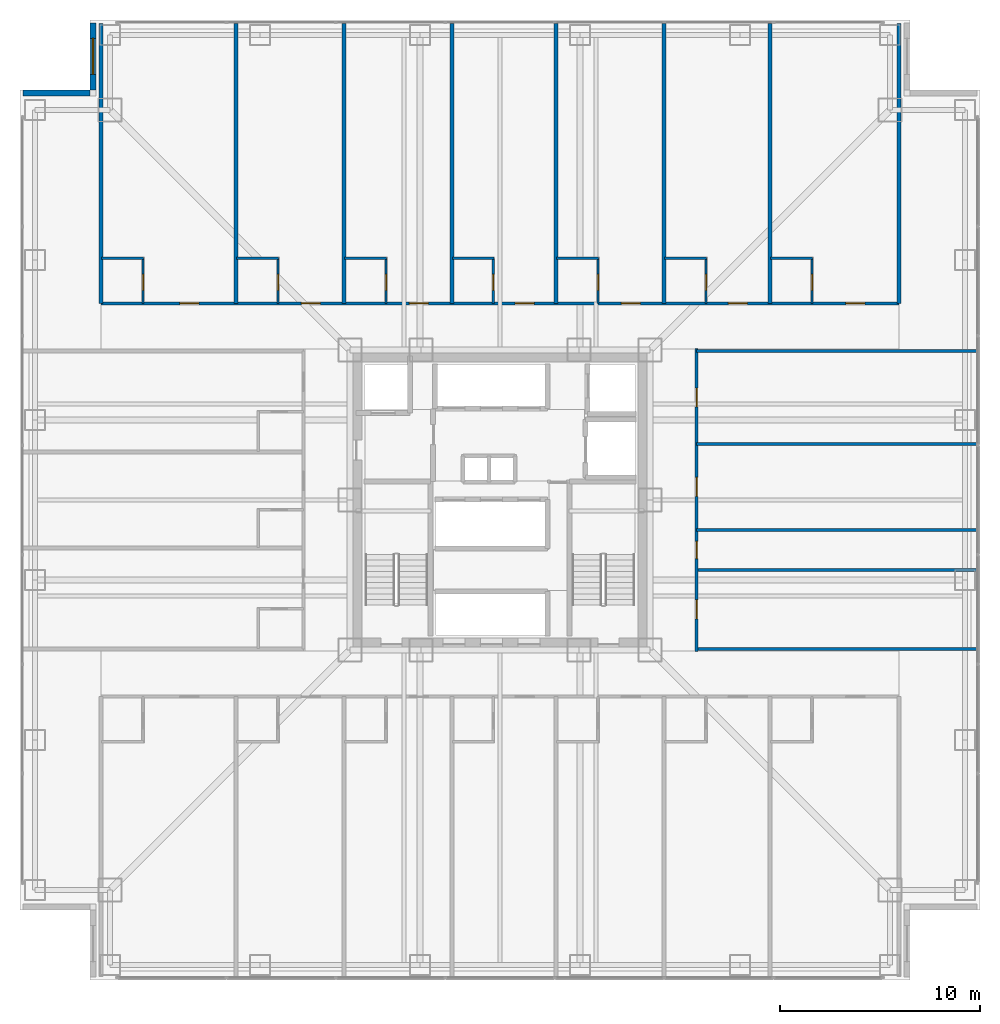
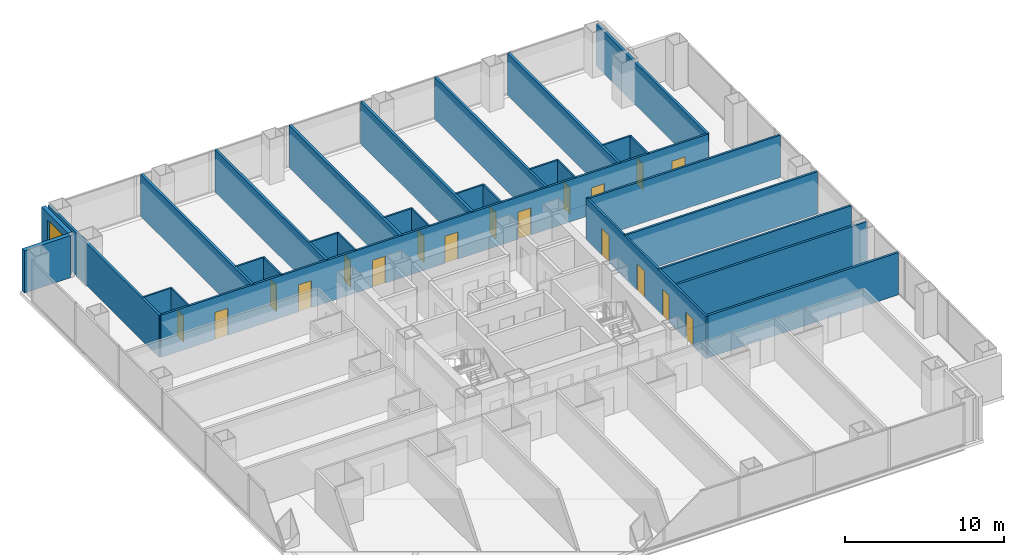
# One storey, part 13 of 17: 31 walls, 18 doors, 1 window, 19 openings.
"""IFC4 building model written with IfcOpenShell, lengths in metres."""

from ifc_helpers import new_model, si_unit, direction, frame, frame_2d, origin, place, context, subcontext, project, spatial, rectangle, extrude, material, layer, layer_set, type_object, element, fill, save


model = new_model("IFC4")

# Units and contexts
model_context = context("Model", 3, precision=1e-05, world=origin(), true_north=direction((0.0, 1.0)))
body_context = subcontext(model_context, "Body", "Model", "MODEL_VIEW")
ifc_project = project(units=[si_unit("LENGTHUNIT", "METRE"), si_unit("AREAUNIT", "SQUARE_METRE"), si_unit("VOLUMEUNIT", "CUBIC_METRE"), si_unit("PLANEANGLEUNIT", "RADIAN"), si_unit("MASSUNIT", "GRAM", prefix="KILO")], contexts=[model_context])

# Site, building, storey
site_placement = place(None, origin())
site = spatial("IfcSite", under=ifc_project, at=site_placement, CompositionType="ELEMENT")
building_placement = place(site_placement, origin())
building = spatial("IfcBuilding", under=site, at=building_placement, Name="Trevonay Congress Spire", CompositionType="ELEMENT")
storey_placement = place(building_placement, frame((0.0, 0.0, 30.5)))
storey = spatial("IfcBuildingStorey", under=building, at=storey_placement, Name="L06", CompositionType="ELEMENT", Elevation=30.5)

# Wall, opening, door
ifc_material_1 = material(Name="Concrete C40/50", Category="concrete")
ifc_layer_1 = layer(ifc_material_1, 0.1201171875, Name="Concrete C40/50")
ifc_layer_set_1 = layer_set([ifc_layer_1], Name="Concrete C40/50")
wall_type_1 = type_object("IfcWallType", Name="WAL-BATH-120", PredefinedType="PLUMBINGWALL", material=ifc_layer_set_1)
wall_1_placement = place(storey_placement, frame((-17.85009765625, 9.830078125, 0.0), z_axis=(0.0, 0.0, 1.0), x_axis=(0.0, 1.0, 0.0)))
wall_1 = element("IfcWall", 1, at=wall_1_placement, inside=storey, type_object=wall_type_1, Name="L06 interior wall WH-L06N-BS1", PredefinedType="PLUMBINGWALL", context=body_context, shape_type="SweptSolid", body=[
    extrude(rectangle(XDim=2.25, YDim=0.1201171875, at=frame_2d((1.125, 0.0))), origin(), (0.0, 0.0, 1.0), 3.25),
])
opening_1_placement = place(wall_1_placement, frame((0.64990234375, 0.0, 0.0)))
opening_1 = element("IfcOpeningElement", 2, at=opening_1_placement, cuts=wall_1, Name="Opening D11", PredefinedType="OPENING", context=body_context, shape_type="SweptSolid", body=[
    extrude(rectangle(XDim=0.800048828125, YDim=2.050048828125, at=frame_2d((0.39990234375, 1.02490234375))), frame((0.0, 0.070068359375, 0.0), z_axis=(0.0, -1.0, 0.0), x_axis=(1.0, 0.0, 0.0)), (0.0, 0.0, 1.0), 0.14013671875),
])
ifc_material_2 = material(Name="Pale Anodised Aluminium EN AW-6063-T6", Category="aluminium")
door_type_1 = type_object("IfcDoorType", Name="DOR-BATH-80", OperationType="NOTDEFINED", PredefinedType="DOOR", material=ifc_material_2)
door_1_placement = place(opening_1_placement, origin())
door_1 = element("IfcDoor", 3, at=door_1_placement, inside=storey, type_object=door_type_1, Name="L06 En-suite Bathroom Door", OperationType="SINGLE_SWING_LEFT", OverallHeight=2.050048828125, OverallWidth=0.800048828125, PredefinedType="DOOR", context=body_context, shape_type="SweptSolid", body=[
    extrude(rectangle(XDim=0.800048828125, YDim=2.050048828125, at=frame_2d((0.39990234375, 1.02490234375))), frame((0.0, 0.02490234375, 0.0), z_axis=(0.0, -1.0, 0.0), x_axis=(1.0, 0.0, 0.0)), (0.0, 0.0, 1.0), 0.050048828125),
])
fill(opening_1, door_1)

# Wall
wall_2_placement = place(storey_placement, frame((-19.919921875, 12.080078125, 0.0), z_axis=(0.0, 0.0, 1.0), x_axis=(1.0, 0.0, 0.0)))
element("IfcWall", 4, at=wall_2_placement, inside=storey, type_object=wall_type_1, Name="L06 interior wall WH-L06N-BF1", PredefinedType="PLUMBINGWALL", context=body_context, shape_type="SweptSolid", body=[
    extrude(rectangle(XDim=2.099853515625, YDim=0.1201171875, at=frame_2d((1.0498046875, 0.0))), origin(), (0.0, 0.0, 1.0), 3.25),
])

# Wall, opening, door
wall_3_placement = place(storey_placement, frame((-11.10009765625, 9.830078125, 0.0), z_axis=(0.0, 0.0, 1.0), x_axis=(0.0, 1.0, 0.0)))
wall_3 = element("IfcWall", 5, at=wall_3_placement, inside=storey, type_object=wall_type_1, Name="L06 interior wall WH-L06N-BS2", PredefinedType="PLUMBINGWALL", context=body_context, shape_type="SweptSolid", body=[
    extrude(rectangle(XDim=2.25, YDim=0.1201171875, at=frame_2d((1.125, 0.0))), origin(), (0.0, 0.0, 1.0), 3.25),
])
opening_2_placement = place(wall_3_placement, frame((0.64990234375, 0.0, 0.0)))
opening_2 = element("IfcOpeningElement", 6, at=opening_2_placement, cuts=wall_3, Name="Opening D11", PredefinedType="OPENING", context=body_context, shape_type="SweptSolid", body=[
    extrude(rectangle(XDim=0.800048828125, YDim=2.050048828125, at=frame_2d((0.39990234375, 1.02490234375))), frame((0.0, 0.070068359375, 0.0), z_axis=(0.0, -1.0, 0.0), x_axis=(1.0, 0.0, 0.0)), (0.0, 0.0, 1.0), 0.14013671875),
])
door_2_placement = place(opening_2_placement, origin())
door_2 = element("IfcDoor", 7, at=door_2_placement, inside=storey, type_object=door_type_1, Name="L06 En-suite Bathroom Door", OperationType="SINGLE_SWING_RIGHT", OverallHeight=2.050048828125, OverallWidth=0.800048828125, PredefinedType="DOOR", context=body_context, shape_type="SweptSolid", body=[
    extrude(rectangle(XDim=0.800048828125, YDim=2.050048828125, at=frame_2d((0.39990234375, 1.02490234375))), frame((0.0, 0.02490234375, 0.0), z_axis=(0.0, -1.0, 0.0), x_axis=(1.0, 0.0, 0.0)), (0.0, 0.0, 1.0), 0.050048828125),
])
fill(opening_2, door_2)

# Wall
wall_4_placement = place(storey_placement, frame((-13.169921875, 12.080078125, 0.0), z_axis=(0.0, 0.0, 1.0), x_axis=(1.0, 0.0, 0.0)))
element("IfcWall", 8, at=wall_4_placement, inside=storey, type_object=wall_type_1, Name="L06 interior wall WH-L06N-BF2", PredefinedType="PLUMBINGWALL", context=body_context, shape_type="SweptSolid", body=[
    extrude(rectangle(XDim=2.099853515625, YDim=0.1201171875, at=frame_2d((1.0498046875, 0.0))), origin(), (0.0, 0.0, 1.0), 3.25),
])

# Wall, opening, door
wall_5_placement = place(storey_placement, frame((-5.699951171875, 9.830078125, 0.0), z_axis=(0.0, 0.0, 1.0), x_axis=(0.0, 1.0, 0.0)))
wall_5 = element("IfcWall", 9, at=wall_5_placement, inside=storey, type_object=wall_type_1, Name="L06 interior wall WH-L06N-BS3", PredefinedType="PLUMBINGWALL", context=body_context, shape_type="SweptSolid", body=[
    extrude(rectangle(XDim=2.25, YDim=0.1201171875, at=frame_2d((1.125, 0.0))), origin(), (0.0, 0.0, 1.0), 3.25),
])
opening_3_placement = place(wall_5_placement, frame((0.64990234375, 0.0, 0.0)))
opening_3 = element("IfcOpeningElement", 10, at=opening_3_placement, cuts=wall_5, Name="Opening D11", PredefinedType="OPENING", context=body_context, shape_type="SweptSolid", body=[
    extrude(rectangle(XDim=0.800048828125, YDim=2.050048828125, at=frame_2d((0.39990234375, 1.02490234375))), frame((0.0, 0.070068359375, 0.0), z_axis=(0.0, -1.0, 0.0), x_axis=(1.0, 0.0, 0.0)), (0.0, 0.0, 1.0), 0.14013671875),
])
door_3_placement = place(opening_3_placement, origin())
door_3 = element("IfcDoor", 11, at=door_3_placement, inside=storey, type_object=door_type_1, Name="L06 En-suite Bathroom Door", OperationType="SINGLE_SWING_LEFT", OverallHeight=2.050048828125, OverallWidth=0.800048828125, PredefinedType="DOOR", context=body_context, shape_type="SweptSolid", body=[
    extrude(rectangle(XDim=0.800048828125, YDim=2.050048828125, at=frame_2d((0.39990234375, 1.02490234375))), frame((0.0, 0.02490234375, 0.0), z_axis=(0.0, -1.0, 0.0), x_axis=(1.0, 0.0, 0.0)), (0.0, 0.0, 1.0), 0.050048828125),
])
fill(opening_3, door_3)

# Wall
wall_6_placement = place(storey_placement, frame((-7.77001953125, 12.080078125, 0.0), z_axis=(0.0, 0.0, 1.0), x_axis=(1.0, 0.0, 0.0)))
element("IfcWall", 12, at=wall_6_placement, inside=storey, type_object=wall_type_1, Name="L06 interior wall WH-L06N-BF3", PredefinedType="PLUMBINGWALL", context=body_context, shape_type="SweptSolid", body=[
    extrude(rectangle(XDim=2.10009765625, YDim=0.1201171875, at=frame_2d((1.050048828125, 0.0))), origin(), (0.0, 0.0, 1.0), 3.25),
])

# Wall, opening, door
wall_7_placement = place(storey_placement, frame((-0.3349609375, 9.830078125, 0.0), z_axis=(0.0, 0.0, 1.0), x_axis=(0.0, 1.0, 0.0)))
wall_7 = element("IfcWall", 13, at=wall_7_placement, inside=storey, type_object=wall_type_1, Name="L06 interior wall WH-L06N-BS4", PredefinedType="PLUMBINGWALL", context=body_context, shape_type="SweptSolid", body=[
    extrude(rectangle(XDim=2.25, YDim=0.1201171875, at=frame_2d((1.125, 0.0))), origin(), (0.0, 0.0, 1.0), 3.25),
])
opening_4_placement = place(wall_7_placement, frame((0.64990234375, 0.0, 0.0)))
opening_4 = element("IfcOpeningElement", 14, at=opening_4_placement, cuts=wall_7, Name="Opening D11", PredefinedType="OPENING", context=body_context, shape_type="SweptSolid", body=[
    extrude(rectangle(XDim=0.800048828125, YDim=2.050048828125, at=frame_2d((0.39990234375, 1.02490234375))), frame((0.0, 0.070068359375, 0.0), z_axis=(0.0, -1.0, 0.0), x_axis=(1.0, 0.0, 0.0)), (0.0, 0.0, 1.0), 0.14013671875),
])
door_4_placement = place(opening_4_placement, origin())
door_4 = element("IfcDoor", 15, at=door_4_placement, inside=storey, type_object=door_type_1, Name="L06 En-suite Bathroom Door", OperationType="SINGLE_SWING_RIGHT", OverallHeight=2.050048828125, OverallWidth=0.800048828125, PredefinedType="DOOR", context=body_context, shape_type="SweptSolid", body=[
    extrude(rectangle(XDim=0.800048828125, YDim=2.050048828125, at=frame_2d((0.39990234375, 1.02490234375))), frame((0.0, 0.02490234375, 0.0), z_axis=(0.0, -1.0, 0.0), x_axis=(1.0, 0.0, 0.0)), (0.0, 0.0, 1.0), 0.050048828125),
])
fill(opening_4, door_4)

# Wall
wall_8_placement = place(storey_placement, frame((-2.3701171875, 12.080078125, 0.0), z_axis=(0.0, 0.0, 1.0), x_axis=(1.0, 0.0, 0.0)))
element("IfcWall", 16, at=wall_8_placement, inside=storey, type_object=wall_type_1, Name="L06 interior wall WH-L06N-BF4", PredefinedType="PLUMBINGWALL", context=body_context, shape_type="SweptSolid", body=[
    extrude(rectangle(XDim=2.065185546875, YDim=0.1201171875, at=frame_2d((1.03271484375, 0.0))), origin(), (0.0, 0.0, 1.0), 3.25),
])

# Wall, opening, door
wall_9_placement = place(storey_placement, frame((4.89990234375, 9.830078125, 0.0), z_axis=(0.0, 0.0, 1.0), x_axis=(0.0, 1.0, 0.0)))
wall_9 = element("IfcWall", 17, at=wall_9_placement, inside=storey, type_object=wall_type_1, Name="L06 interior wall WH-L06N-BS5", PredefinedType="PLUMBINGWALL", context=body_context, shape_type="SweptSolid", body=[
    extrude(rectangle(XDim=2.25, YDim=0.1201171875, at=frame_2d((1.125, 0.0))), origin(), (0.0, 0.0, 1.0), 3.25),
])
opening_5_placement = place(wall_9_placement, frame((0.64990234375, 0.0, 0.0)))
opening_5 = element("IfcOpeningElement", 18, at=opening_5_placement, cuts=wall_9, Name="Opening D11", PredefinedType="OPENING", context=body_context, shape_type="SweptSolid", body=[
    extrude(rectangle(XDim=0.800048828125, YDim=2.050048828125, at=frame_2d((0.39990234375, 1.02490234375))), frame((0.0, 0.070068359375, 0.0), z_axis=(0.0, -1.0, 0.0), x_axis=(1.0, 0.0, 0.0)), (0.0, 0.0, 1.0), 0.14013671875),
])
door_5_placement = place(opening_5_placement, origin())
door_5 = element("IfcDoor", 19, at=door_5_placement, inside=storey, type_object=door_type_1, Name="L06 En-suite Bathroom Door", OperationType="SINGLE_SWING_LEFT", OverallHeight=2.050048828125, OverallWidth=0.800048828125, PredefinedType="DOOR", context=body_context, shape_type="SweptSolid", body=[
    extrude(rectangle(XDim=0.800048828125, YDim=2.050048828125, at=frame_2d((0.39990234375, 1.02490234375))), frame((0.0, 0.02490234375, 0.0), z_axis=(0.0, -1.0, 0.0), x_axis=(1.0, 0.0, 0.0)), (0.0, 0.0, 1.0), 0.050048828125),
])
fill(opening_5, door_5)

# Wall
wall_10_placement = place(storey_placement, frame((2.830078125, 12.080078125, 0.0), z_axis=(0.0, 0.0, 1.0), x_axis=(1.0, 0.0, 0.0)))
element("IfcWall", 20, at=wall_10_placement, inside=storey, type_object=wall_type_1, Name="L06 interior wall WH-L06N-BF5", PredefinedType="PLUMBINGWALL", context=body_context, shape_type="SweptSolid", body=[
    extrude(rectangle(XDim=2.099853515625, YDim=0.1201171875, at=frame_2d((1.0498046875, 0.0))), origin(), (0.0, 0.0, 1.0), 3.25),
])

# Wall, opening, door
wall_11_placement = place(storey_placement, frame((10.300048828125, 9.830078125, 0.0), z_axis=(0.0, 0.0, 1.0), x_axis=(0.0, 1.0, 0.0)))
wall_11 = element("IfcWall", 21, at=wall_11_placement, inside=storey, type_object=wall_type_1, Name="L06 interior wall WH-L06N-BS6", PredefinedType="PLUMBINGWALL", context=body_context, shape_type="SweptSolid", body=[
    extrude(rectangle(XDim=2.25, YDim=0.1201171875, at=frame_2d((1.125, 0.0))), origin(), (0.0, 0.0, 1.0), 3.25),
])
opening_6_placement = place(wall_11_placement, frame((0.64990234375, 0.0, 0.0)))
opening_6 = element("IfcOpeningElement", 22, at=opening_6_placement, cuts=wall_11, Name="Opening D11", PredefinedType="OPENING", context=body_context, shape_type="SweptSolid", body=[
    extrude(rectangle(XDim=0.800048828125, YDim=2.050048828125, at=frame_2d((0.39990234375, 1.02490234375))), frame((0.0, 0.070068359375, 0.0), z_axis=(0.0, -1.0, 0.0), x_axis=(1.0, 0.0, 0.0)), (0.0, 0.0, 1.0), 0.14013671875),
])
door_6_placement = place(opening_6_placement, origin())
door_6 = element("IfcDoor", 23, at=door_6_placement, inside=storey, type_object=door_type_1, Name="L06 En-suite Bathroom Door", OperationType="SINGLE_SWING_RIGHT", OverallHeight=2.050048828125, OverallWidth=0.800048828125, PredefinedType="DOOR", context=body_context, shape_type="SweptSolid", body=[
    extrude(rectangle(XDim=0.800048828125, YDim=2.050048828125, at=frame_2d((0.39990234375, 1.02490234375))), frame((0.0, 0.02490234375, 0.0), z_axis=(0.0, -1.0, 0.0), x_axis=(1.0, 0.0, 0.0)), (0.0, 0.0, 1.0), 0.050048828125),
])
fill(opening_6, door_6)

# Wall
wall_12_placement = place(storey_placement, frame((8.22998046875, 12.080078125, 0.0), z_axis=(0.0, 0.0, 1.0), x_axis=(1.0, 0.0, 0.0)))
element("IfcWall", 24, at=wall_12_placement, inside=storey, type_object=wall_type_1, Name="L06 interior wall WH-L06N-BF6", PredefinedType="PLUMBINGWALL", context=body_context, shape_type="SweptSolid", body=[
    extrude(rectangle(XDim=2.10009765625, YDim=0.1201171875, at=frame_2d((1.050048828125, 0.0))), origin(), (0.0, 0.0, 1.0), 3.25),
])

# Wall, opening, door
wall_13_placement = place(storey_placement, frame((15.60009765625, 9.830078125, 0.0), z_axis=(0.0, 0.0, 1.0), x_axis=(0.0, 1.0, 0.0)))
wall_13 = element("IfcWall", 25, at=wall_13_placement, inside=storey, type_object=wall_type_1, Name="L06 interior wall WH-L06N-BS7", PredefinedType="PLUMBINGWALL", context=body_context, shape_type="SweptSolid", body=[
    extrude(rectangle(XDim=2.25, YDim=0.1201171875, at=frame_2d((1.125, 0.0))), origin(), (0.0, 0.0, 1.0), 3.25),
])
opening_7_placement = place(wall_13_placement, frame((0.64990234375, 0.0, 0.0)))
opening_7 = element("IfcOpeningElement", 26, at=opening_7_placement, cuts=wall_13, Name="Opening D11", PredefinedType="OPENING", context=body_context, shape_type="SweptSolid", body=[
    extrude(rectangle(XDim=0.800048828125, YDim=2.050048828125, at=frame_2d((0.39990234375, 1.02490234375))), frame((0.0, 0.070068359375, 0.0), z_axis=(0.0, -1.0, 0.0), x_axis=(1.0, 0.0, 0.0)), (0.0, 0.0, 1.0), 0.14013671875),
])
door_7_placement = place(opening_7_placement, origin())
door_7 = element("IfcDoor", 27, at=door_7_placement, inside=storey, type_object=door_type_1, Name="L06 En-suite Bathroom Door", OperationType="SINGLE_SWING_LEFT", OverallHeight=2.050048828125, OverallWidth=0.800048828125, PredefinedType="DOOR", context=body_context, shape_type="SweptSolid", body=[
    extrude(rectangle(XDim=0.800048828125, YDim=2.050048828125, at=frame_2d((0.39990234375, 1.02490234375))), frame((0.0, 0.02490234375, 0.0), z_axis=(0.0, -1.0, 0.0), x_axis=(1.0, 0.0, 0.0)), (0.0, 0.0, 1.0), 0.050048828125),
])
fill(opening_7, door_7)

# Wall
wall_14_placement = place(storey_placement, frame((13.530029296875, 12.080078125, 0.0), z_axis=(0.0, 0.0, 1.0), x_axis=(1.0, 0.0, 0.0)))
element("IfcWall", 28, at=wall_14_placement, inside=storey, type_object=wall_type_1, Name="L06 interior wall WH-L06N-BF7", PredefinedType="PLUMBINGWALL", context=body_context, shape_type="SweptSolid", body=[
    extrude(rectangle(XDim=2.099853515625, YDim=0.1201171875, at=frame_2d((1.0498046875, 0.0))), origin(), (0.0, 0.0, 1.0), 3.25),
])

# Wall, openings, doors
ifc_layer_2 = layer(ifc_material_1, 0.14990234375, Name="Concrete C40/50")
ifc_layer_set_2 = layer_set([ifc_layer_2], Name="Concrete C40/50")
wall_type_2 = type_object("IfcWallType", Name="WAL-CORR-150", PredefinedType="PARTITIONING", material=ifc_layer_set_2)
wall_15_placement = place(storey_placement, frame((-19.949951171875, 9.830078125, 0.0), z_axis=(0.0, 0.0, 1.0), x_axis=(1.0, 0.0, 0.0)))
wall_15 = element("IfcWall", 29, at=wall_15_placement, inside=storey, type_object=wall_type_2, Name="L06 interior wall WH-L06N-COR", PredefinedType="PARTITIONING", context=body_context, shape_type="SweptSolid", body=[
    extrude(rectangle(XDim=39.89990234375, YDim=0.14990234375, at=frame_2d((19.949951171875, 0.0))), origin(), (0.0, 0.0, 1.0), 3.25),
])
opening_8_placement = place(wall_15_placement, frame((3.945068359375, 0.0, 0.0)))
opening_8 = element("IfcOpeningElement", 30, at=opening_8_placement, cuts=wall_15, Name="Opening D08", PredefinedType="OPENING", context=body_context, shape_type="SweptSolid", body=[
    extrude(rectangle(XDim=0.949951171875, YDim=2.080078125, at=frame_2d((0.47509765625, 1.0400390625))), frame((0.0, 0.0849609375, 0.0), z_axis=(0.0, -1.0, 0.0), x_axis=(1.0, 0.0, 0.0)), (0.0, 0.0, 1.0), 0.169921875),
])
opening_9_placement = place(wall_15_placement, frame((10.02001953125, 0.0, 0.0)))
opening_9 = element("IfcOpeningElement", 31, at=opening_9_placement, cuts=wall_15, Name="Opening D08", PredefinedType="OPENING", context=body_context, shape_type="SweptSolid", body=[
    extrude(rectangle(XDim=0.949951171875, YDim=2.080078125, at=frame_2d((0.47509765625, 1.0400390625))), frame((0.0, 0.0849609375, 0.0), z_axis=(0.0, -1.0, 0.0), x_axis=(1.0, 0.0, 0.0)), (0.0, 0.0, 1.0), 0.169921875),
])
opening_10_placement = place(wall_15_placement, frame((15.419921875, 0.0, 0.0)))
opening_10 = element("IfcOpeningElement", 32, at=opening_10_placement, cuts=wall_15, Name="Opening D08", PredefinedType="OPENING", context=body_context, shape_type="SweptSolid", body=[
    extrude(rectangle(XDim=0.949951171875, YDim=2.080078125, at=frame_2d((0.47509765625, 1.0400390625))), frame((0.0, 0.0849609375, 0.0), z_axis=(0.0, -1.0, 0.0), x_axis=(1.0, 0.0, 0.0)), (0.0, 0.0, 1.0), 0.169921875),
])
opening_11_placement = place(wall_15_placement, frame((20.702392578125, 0.0, 0.0)))
opening_11 = element("IfcOpeningElement", 33, at=opening_11_placement, cuts=wall_15, Name="Opening D08", PredefinedType="OPENING", context=body_context, shape_type="SweptSolid", body=[
    extrude(rectangle(XDim=0.949951171875, YDim=2.080078125, at=frame_2d((0.47509765625, 1.0400390625))), frame((0.0, 0.0849609375, 0.0), z_axis=(0.0, -1.0, 0.0), x_axis=(1.0, 0.0, 0.0)), (0.0, 0.0, 1.0), 0.169921875),
])
opening_12_placement = place(wall_15_placement, frame((26.02001953125, 0.0, 0.0)))
opening_12 = element("IfcOpeningElement", 34, at=opening_12_placement, cuts=wall_15, Name="Opening D08", PredefinedType="OPENING", context=body_context, shape_type="SweptSolid", body=[
    extrude(rectangle(XDim=0.949951171875, YDim=2.080078125, at=frame_2d((0.47509765625, 1.0400390625))), frame((0.0, 0.0849609375, 0.0), z_axis=(0.0, -1.0, 0.0), x_axis=(1.0, 0.0, 0.0)), (0.0, 0.0, 1.0), 0.169921875),
])
opening_13_placement = place(wall_15_placement, frame((31.3701171875, 0.0, 0.0)))
opening_13 = element("IfcOpeningElement", 35, at=opening_13_placement, cuts=wall_15, Name="Opening D08", PredefinedType="OPENING", context=body_context, shape_type="SweptSolid", body=[
    extrude(rectangle(XDim=0.949951171875, YDim=2.080078125, at=frame_2d((0.47509765625, 1.0400390625))), frame((0.0, 0.0849609375, 0.0), z_axis=(0.0, -1.0, 0.0), x_axis=(1.0, 0.0, 0.0)), (0.0, 0.0, 1.0), 0.169921875),
])
opening_14_placement = place(wall_15_placement, frame((37.2451171875, 0.0, 0.0)))
opening_14 = element("IfcOpeningElement", 36, at=opening_14_placement, cuts=wall_15, Name="Opening D08", PredefinedType="OPENING", context=body_context, shape_type="SweptSolid", body=[
    extrude(rectangle(XDim=0.949951171875, YDim=2.080078125, at=frame_2d((0.47509765625, 1.0400390625))), frame((0.0, 0.0849609375, 0.0), z_axis=(0.0, -1.0, 0.0), x_axis=(1.0, 0.0, 0.0)), (0.0, 0.0, 1.0), 0.169921875),
])
door_type_2 = type_object("IfcDoorType", Name="DOR-SUITE-95", OperationType="NOTDEFINED", PredefinedType="DOOR", material=ifc_material_2)
door_8_placement = place(opening_8_placement, origin())
door_8 = element("IfcDoor", 37, at=door_8_placement, inside=storey, type_object=door_type_2, Name="L06 Corner Hotel Suite Entrance Door", OperationType="SINGLE_SWING_RIGHT", OverallHeight=2.080078125, OverallWidth=0.949951171875, PredefinedType="DOOR", context=body_context, shape_type="SweptSolid", body=[
    extrude(rectangle(XDim=0.949951171875, YDim=2.080078125, at=frame_2d((0.47509765625, 1.0400390625))), frame((0.0, 0.02490234375, 0.0), z_axis=(0.0, -1.0, 0.0), x_axis=(1.0, 0.0, 0.0)), (0.0, 0.0, 1.0), 0.050048828125),
])
fill(opening_8, door_8)
door_9_placement = place(opening_9_placement, origin())
door_9 = element("IfcDoor", 38, at=door_9_placement, inside=storey, type_object=door_type_2, Name="L06 Hotel Guest Room Entrance Door", OperationType="SINGLE_SWING_LEFT", OverallHeight=2.080078125, OverallWidth=0.949951171875, PredefinedType="DOOR", context=body_context, shape_type="SweptSolid", body=[
    extrude(rectangle(XDim=0.949951171875, YDim=2.080078125, at=frame_2d((0.47509765625, 1.0400390625))), frame((0.0, 0.02490234375, 0.0), z_axis=(0.0, -1.0, 0.0), x_axis=(1.0, 0.0, 0.0)), (0.0, 0.0, 1.0), 0.050048828125),
])
fill(opening_9, door_9)
door_10_placement = place(opening_10_placement, origin())
door_10 = element("IfcDoor", 39, at=door_10_placement, inside=storey, type_object=door_type_2, Name="L06 Hotel Guest Room Entrance Door", OperationType="SINGLE_SWING_RIGHT", OverallHeight=2.080078125, OverallWidth=0.949951171875, PredefinedType="DOOR", context=body_context, shape_type="SweptSolid", body=[
    extrude(rectangle(XDim=0.949951171875, YDim=2.080078125, at=frame_2d((0.47509765625, 1.0400390625))), frame((0.0, 0.02490234375, 0.0), z_axis=(0.0, -1.0, 0.0), x_axis=(1.0, 0.0, 0.0)), (0.0, 0.0, 1.0), 0.050048828125),
])
fill(opening_10, door_10)
door_11_placement = place(opening_11_placement, origin())
door_11 = element("IfcDoor", 40, at=door_11_placement, inside=storey, type_object=door_type_2, Name="L06 Hotel Guest Room Entrance Door", OperationType="SINGLE_SWING_LEFT", OverallHeight=2.080078125, OverallWidth=0.949951171875, PredefinedType="DOOR", context=body_context, shape_type="SweptSolid", body=[
    extrude(rectangle(XDim=0.949951171875, YDim=2.080078125, at=frame_2d((0.47509765625, 1.0400390625))), frame((0.0, 0.02490234375, 0.0), z_axis=(0.0, -1.0, 0.0), x_axis=(1.0, 0.0, 0.0)), (0.0, 0.0, 1.0), 0.050048828125),
])
fill(opening_11, door_11)
door_12_placement = place(opening_12_placement, origin())
door_12 = element("IfcDoor", 41, at=door_12_placement, inside=storey, type_object=door_type_2, Name="L06 Hotel Guest Room Entrance Door", OperationType="SINGLE_SWING_RIGHT", OverallHeight=2.080078125, OverallWidth=0.949951171875, PredefinedType="DOOR", context=body_context, shape_type="SweptSolid", body=[
    extrude(rectangle(XDim=0.949951171875, YDim=2.080078125, at=frame_2d((0.47509765625, 1.0400390625))), frame((0.0, 0.02490234375, 0.0), z_axis=(0.0, -1.0, 0.0), x_axis=(1.0, 0.0, 0.0)), (0.0, 0.0, 1.0), 0.050048828125),
])
fill(opening_12, door_12)
door_13_placement = place(opening_13_placement, origin())
door_13 = element("IfcDoor", 42, at=door_13_placement, inside=storey, type_object=door_type_2, Name="L06 Hotel Guest Room Entrance Door", OperationType="SINGLE_SWING_LEFT", OverallHeight=2.080078125, OverallWidth=0.949951171875, PredefinedType="DOOR", context=body_context, shape_type="SweptSolid", body=[
    extrude(rectangle(XDim=0.949951171875, YDim=2.080078125, at=frame_2d((0.47509765625, 1.0400390625))), frame((0.0, 0.02490234375, 0.0), z_axis=(0.0, -1.0, 0.0), x_axis=(1.0, 0.0, 0.0)), (0.0, 0.0, 1.0), 0.050048828125),
])
fill(opening_13, door_13)
door_14_placement = place(opening_14_placement, origin())
door_14 = element("IfcDoor", 43, at=door_14_placement, inside=storey, type_object=door_type_2, Name="L06 Corner Hotel Suite Entrance Door", OperationType="SINGLE_SWING_RIGHT", OverallHeight=2.080078125, OverallWidth=0.949951171875, PredefinedType="DOOR", context=body_context, shape_type="SweptSolid", body=[
    extrude(rectangle(XDim=0.949951171875, YDim=2.080078125, at=frame_2d((0.47509765625, 1.0400390625))), frame((0.0, 0.02490234375, 0.0), z_axis=(0.0, -1.0, 0.0), x_axis=(1.0, 0.0, 0.0)), (0.0, 0.0, 1.0), 0.050048828125),
])
fill(opening_14, door_14)

wall_16_placement = place(storey_placement, frame((9.830078125, -7.570068359375, 0.0), z_axis=(0.0, 0.0, 1.0), x_axis=(0.0, 1.0, 0.0)))
wall_16 = element("IfcWall", 44, at=wall_16_placement, inside=storey, type_object=wall_type_2, Name="L06 interior wall WP-L06E-COR", PredefinedType="PARTITIONING", context=body_context, shape_type="SweptSolid", body=[
    extrude(rectangle(XDim=15.14013671875, YDim=0.14990234375, at=frame_2d((7.570068359375, 0.0))), origin(), (0.0, 0.0, 1.0), 3.25),
])
opening_15_placement = place(wall_16_placement, frame((1.6201171875, 0.0, 0.0)))
opening_15 = element("IfcOpeningElement", 45, at=opening_15_placement, cuts=wall_16, Name="Opening D07", PredefinedType="OPENING", context=body_context, shape_type="SweptSolid", body=[
    extrude(rectangle(XDim=0.949951171875, YDim=2.06005859375, at=frame_2d((0.47509765625, 1.030029296875))), frame((0.0, 0.0849609375, 0.0), z_axis=(0.0, -1.0, 0.0), x_axis=(1.0, 0.0, 0.0)), (0.0, 0.0, 1.0), 0.169921875),
])
opening_16_placement = place(wall_16_placement, frame((4.64501953125, 0.0, 0.0)))
opening_16 = element("IfcOpeningElement", 46, at=opening_16_placement, cuts=wall_16, Name="Opening D10", PredefinedType="OPENING", context=body_context, shape_type="SweptSolid", body=[
    extrude(rectangle(XDim=0.85009765625, YDim=2.050048828125, at=frame_2d((0.425048828125, 1.02490234375))), frame((0.0, 0.0849609375, 0.0), z_axis=(0.0, -1.0, 0.0), x_axis=(1.0, 0.0, 0.0)), (0.0, 0.0, 1.0), 0.169921875),
])
opening_17_placement = place(wall_16_placement, frame((7.7451171875, 0.0, 0.0)))
opening_17 = element("IfcOpeningElement", 47, at=opening_17_placement, cuts=wall_16, Name="Opening D07", PredefinedType="OPENING", context=body_context, shape_type="SweptSolid", body=[
    extrude(rectangle(XDim=0.949951171875, YDim=2.06005859375, at=frame_2d((0.47509765625, 1.030029296875))), frame((0.0, 0.0849609375, 0.0), z_axis=(0.0, -1.0, 0.0), x_axis=(1.0, 0.0, 0.0)), (0.0, 0.0, 1.0), 0.169921875),
])
opening_18_placement = place(wall_16_placement, frame((12.219970703125, 0.0, 0.0)))
opening_18 = element("IfcOpeningElement", 48, at=opening_18_placement, cuts=wall_16, Name="Opening D07", PredefinedType="OPENING", context=body_context, shape_type="SweptSolid", body=[
    extrude(rectangle(XDim=0.949951171875, YDim=2.06005859375, at=frame_2d((0.47509765625, 1.030029296875))), frame((0.0, 0.0849609375, 0.0), z_axis=(0.0, -1.0, 0.0), x_axis=(1.0, 0.0, 0.0)), (0.0, 0.0, 1.0), 0.169921875),
])
door_type_3 = type_object("IfcDoorType", Name="DOR-OFFICE-95", OperationType="NOTDEFINED", PredefinedType="DOOR", material=ifc_material_2)
door_15_placement = place(opening_15_placement, origin())
door_15 = element("IfcDoor", 49, at=door_15_placement, inside=storey, type_object=door_type_3, Name="L06 Housekeeping and Linen Room Door", OperationType="SINGLE_SWING_LEFT", OverallHeight=2.06005859375, OverallWidth=0.949951171875, PredefinedType="DOOR", context=body_context, shape_type="SweptSolid", body=[
    extrude(rectangle(XDim=0.949951171875, YDim=2.06005859375, at=frame_2d((0.47509765625, 1.030029296875))), frame((0.0, 0.02490234375, 0.0), z_axis=(0.0, -1.0, 0.0), x_axis=(1.0, 0.0, 0.0)), (0.0, 0.0, 1.0), 0.050048828125),
])
fill(opening_15, door_15)
door_16_placement = place(opening_17_placement, origin())
door_16 = element("IfcDoor", 50, at=door_16_placement, inside=storey, type_object=door_type_3, Name="L06 Hotel Room-Service Pantry Door", OperationType="SINGLE_SWING_LEFT", OverallHeight=2.06005859375, OverallWidth=0.949951171875, PredefinedType="DOOR", context=body_context, shape_type="SweptSolid", body=[
    extrude(rectangle(XDim=0.949951171875, YDim=2.06005859375, at=frame_2d((0.47509765625, 1.030029296875))), frame((0.0, 0.02490234375, 0.0), z_axis=(0.0, -1.0, 0.0), x_axis=(1.0, 0.0, 0.0)), (0.0, 0.0, 1.0), 0.050048828125),
])
fill(opening_17, door_16)
door_17_placement = place(opening_18_placement, origin())
door_17 = element("IfcDoor", 51, at=door_17_placement, inside=storey, type_object=door_type_3, Name="L06 Guest Concierge Desk Office Door", OperationType="SINGLE_SWING_RIGHT", OverallHeight=2.06005859375, OverallWidth=0.949951171875, PredefinedType="DOOR", context=body_context, shape_type="SweptSolid", body=[
    extrude(rectangle(XDim=0.949951171875, YDim=2.06005859375, at=frame_2d((0.47509765625, 1.030029296875))), frame((0.0, 0.02490234375, 0.0), z_axis=(0.0, -1.0, 0.0), x_axis=(1.0, 0.0, 0.0)), (0.0, 0.0, 1.0), 0.050048828125),
])
fill(opening_18, door_17)
door_type_4 = type_object("IfcDoorType", Name="DOR-WC-85", OperationType="NOTDEFINED", PredefinedType="DOOR", material=ifc_material_2)
door_18_placement = place(opening_16_placement, origin())
door_18 = element("IfcDoor", 52, at=door_18_placement, inside=storey, type_object=door_type_4, Name="L06 Accessible WC Door", OperationType="SINGLE_SWING_RIGHT", OverallHeight=2.050048828125, OverallWidth=0.85009765625, PredefinedType="DOOR", context=body_context, shape_type="SweptSolid", body=[
    extrude(rectangle(XDim=0.85009765625, YDim=2.050048828125, at=frame_2d((0.425048828125, 1.02490234375))), frame((0.0, 0.02490234375, 0.0), z_axis=(0.0, -1.0, 0.0), x_axis=(1.0, 0.0, 0.0)), (0.0, 0.0, 1.0), 0.050048828125),
])
fill(opening_16, door_18)

# Wall, opening, window
ifc_material_3 = material(Name="Precast concrete C40/50", Category="concrete")
ifc_layer_3 = layer(ifc_material_3, 0.300048828125, Name="Precast concrete C40/50")
ifc_layer_set_3 = layer_set([ifc_layer_3], Name="Precast concrete C40/50")
wall_type_3 = type_object("IfcWallType", Name="WAL-EXT-PRECAST-300", PredefinedType="SOLIDWALL", material=ifc_layer_set_3)
wall_17_placement = place(storey_placement, frame((-20.35009765625, 23.85009765625, 0.0), z_axis=(0.0, 0.0, 1.0), x_axis=(0.0, -1.0, 0.0)))
wall_17 = element("IfcWall", 53, at=wall_17_placement, inside=storey, type_object=wall_type_3, Name="L06 NW re-entrant notch exterior wall 1", PredefinedType="SOLIDWALL", context=body_context, shape_type="SweptSolid", body=[
    extrude(rectangle(XDim=3.35009765625, YDim=0.300048828125, at=frame_2d((1.675048828125, 0.0))), origin(), (0.0, 0.0, 1.0), 3.25),
])
opening_19_placement = place(wall_17_placement, frame((0.77490234375, 0.0, 0.89990234375)))
opening_19 = element("IfcOpeningElement", 54, at=opening_19_placement, cuts=wall_17, Name="Opening WN01", PredefinedType="OPENING", context=body_context, shape_type="SweptSolid", body=[
    extrude(rectangle(XDim=1.800048828125, YDim=1.800048828125, at=frame_2d((0.89990234375, 0.89990234375))), frame((0.0, 0.16015625, 0.0), z_axis=(0.0, -1.0, 0.0), x_axis=(1.0, 0.0, 0.0)), (0.0, 0.0, 1.0), 0.320068359375),
])
ifc_material_4 = material(Name="Insulated Low-E Vision Glass IGU", Category="glass")
window_type = type_object("IfcWindowType", Name="WIN-HOTEL-180X180", PartitioningType="SINGLE_PANEL", PredefinedType="WINDOW", material=ifc_material_4)
window_placement = place(opening_19_placement, origin())
window = element("IfcWindow", 55, at=window_placement, inside=storey, type_object=window_type, Name="L06 NW corner notch window", OverallHeight=1.800048828125, OverallWidth=1.800048828125, PartitioningType="SINGLE_PANEL", PredefinedType="WINDOW", context=body_context, shape_type="SweptSolid", body=[
    extrude(rectangle(XDim=1.800048828125, YDim=1.800048828125, at=frame_2d((0.89990234375, 0.89990234375))), frame((0.0, 0.030029296875, 0.0), z_axis=(0.0, -1.0, 0.0), x_axis=(1.0, 0.0, 0.0)), (0.0, 0.0, 1.0), 0.06005859375),
])
fill(opening_19, window)

# Walls
wall_18_placement = place(storey_placement, frame((-23.85009765625, 20.35009765625, 0.0), z_axis=(0.0, 0.0, 1.0), x_axis=(1.0, 0.0, 0.0)))
element("IfcWall", 56, at=wall_18_placement, inside=storey, type_object=wall_type_3, Name="L06 NW re-entrant notch exterior wall 2", PredefinedType="SOLIDWALL", context=body_context, shape_type="SweptSolid", body=[
    extrude(rectangle(XDim=3.35009765625, YDim=0.300048828125, at=frame_2d((1.675048828125, 0.0))), origin(), (0.0, 0.0, 1.0), 3.25),
])
ifc_layer_4 = layer(ifc_material_1, 0.179931640625, Name="Concrete C40/50")
ifc_layer_set_4 = layer_set([ifc_layer_4], Name="Concrete C40/50")
wall_type_4 = type_object("IfcWallType", Name="WAL-HOTEL-180", PredefinedType="PARTITIONING", material=ifc_layer_set_4)
for number, where, z_axis, x_axis, name in (
    (57, (-19.949951171875, 9.830078125, 0.0), (0.0, 0.0, 1.0), (0.0, 1.0, 0.0), "L06 interior wall WH-L06N-DIV1"),
    (58, (-13.199951171875, 9.830078125, 0.0), (0.0, 0.0, 1.0), (0.0, 1.0, 0.0), "L06 interior wall WH-L06N-DIV2"),
    (59, (-7.800048828125, 9.830078125, 0.0), (0.0, 0.0, 1.0), (0.0, 1.0, 0.0), "L06 interior wall WH-L06N-DIV3"),
    (60, (-2.39990234375, 9.830078125, 0.0), (0.0, 0.0, 1.0), (0.0, 1.0, 0.0), "L06 interior wall WH-L06N-DIV4"),
    (61, (2.800048828125, 9.830078125, 0.0), (0.0, 0.0, 1.0), (0.0, 1.0, 0.0), "L06 interior wall WH-L06N-DIV5"),
    (62, (8.199951171875, 9.830078125, 0.0), (0.0, 0.0, 1.0), (0.0, 1.0, 0.0), "L06 interior wall WH-L06N-DIV6"),
    (63, (13.5, 9.830078125, 0.0), (0.0, 0.0, 1.0), (0.0, 1.0, 0.0), "L06 interior wall WH-L06N-DIV7"),
    (64, (19.949951171875, 9.830078125, 0.0), (0.0, 0.0, 1.0), (0.0, 1.0, 0.0), "L06 interior wall WH-L06N-DIV8"),
):
    element("IfcWall", number, at=place(storey_placement, frame(where, z_axis=z_axis, x_axis=x_axis)), inside=storey, type_object=wall_type_4, Name=name, PredefinedType="PARTITIONING", context=body_context, shape_type="SweptSolid", body=[
        extrude(rectangle(XDim=13.989990234375, YDim=0.179931640625, at=frame_2d((6.9951171875, 0.0))), origin(), (0.0, 0.0, 1.0), 3.25),
    ])
ifc_layer_5 = layer(ifc_material_1, 0.14990234375, Name="Concrete C40/50")
ifc_layer_set_5 = layer_set([ifc_layer_5], Name="Concrete C40/50")
wall_type_5 = type_object("IfcWallType", Name="WAL-PART-150", PredefinedType="PARTITIONING", material=ifc_layer_set_5)
for number, where, z_axis, x_axis, name in (
    (65, (9.830078125, -1.5, 0.0), (0.0, 0.0, 1.0), (1.0, 0.0, 0.0), "L06 interior wall WP-L06E-DIV3"),
    (66, (9.830078125, 2.800048828125, 0.0), (0.0, 0.0, 1.0), (1.0, 0.0, 0.0), "L06 interior wall WP-L06E-DIV4"),
    (67, (9.830078125, 7.449951171875, 0.0), (0.0, 0.0, 1.0), (1.0, 0.0, 0.0), "L06 interior wall WP-L06E-DIV5"),
):
    element("IfcWall", number, at=place(storey_placement, frame(where, z_axis=z_axis, x_axis=x_axis)), inside=storey, type_object=wall_type_5, Name=name, PredefinedType="PARTITIONING", context=body_context, shape_type="SweptSolid", body=[
        extrude(rectangle(XDim=13.989990234375, YDim=0.14990234375, at=frame_2d((6.9951171875, 0.0))), origin(), (0.0, 0.0, 1.0), 3.25),
    ])
ifc_layer_6 = layer(ifc_material_1, 0.1650390625, Name="Concrete C40/50")
ifc_layer_set_6 = layer_set([ifc_layer_6], Name="Concrete C40/50")
wall_type_6 = type_object("IfcWallType", Name="WAL-WET-165", PredefinedType="PLUMBINGWALL", material=ifc_layer_set_6)
for number, where, z_axis, x_axis, name in (
    (68, (9.830078125, -7.449951171875, 0.0), (0.0, 0.0, 1.0), (1.0, 0.0, 0.0), "L06 interior wall WP-L06E-DIV1"),
    (69, (9.830078125, -3.5, 0.0), (0.0, 0.0, 1.0), (1.0, 0.0, 0.0), "L06 interior wall WP-L06E-DIV2"),
):
    element("IfcWall", number, at=place(storey_placement, frame(where, z_axis=z_axis, x_axis=x_axis)), inside=storey, type_object=wall_type_6, Name=name, PredefinedType="PLUMBINGWALL", context=body_context, shape_type="SweptSolid", body=[
        extrude(rectangle(XDim=13.989990234375, YDim=0.1650390625, at=frame_2d((6.9951171875, 0.0))), origin(), (0.0, 0.0, 1.0), 3.25),
    ])

save(model, "model.ifc")
